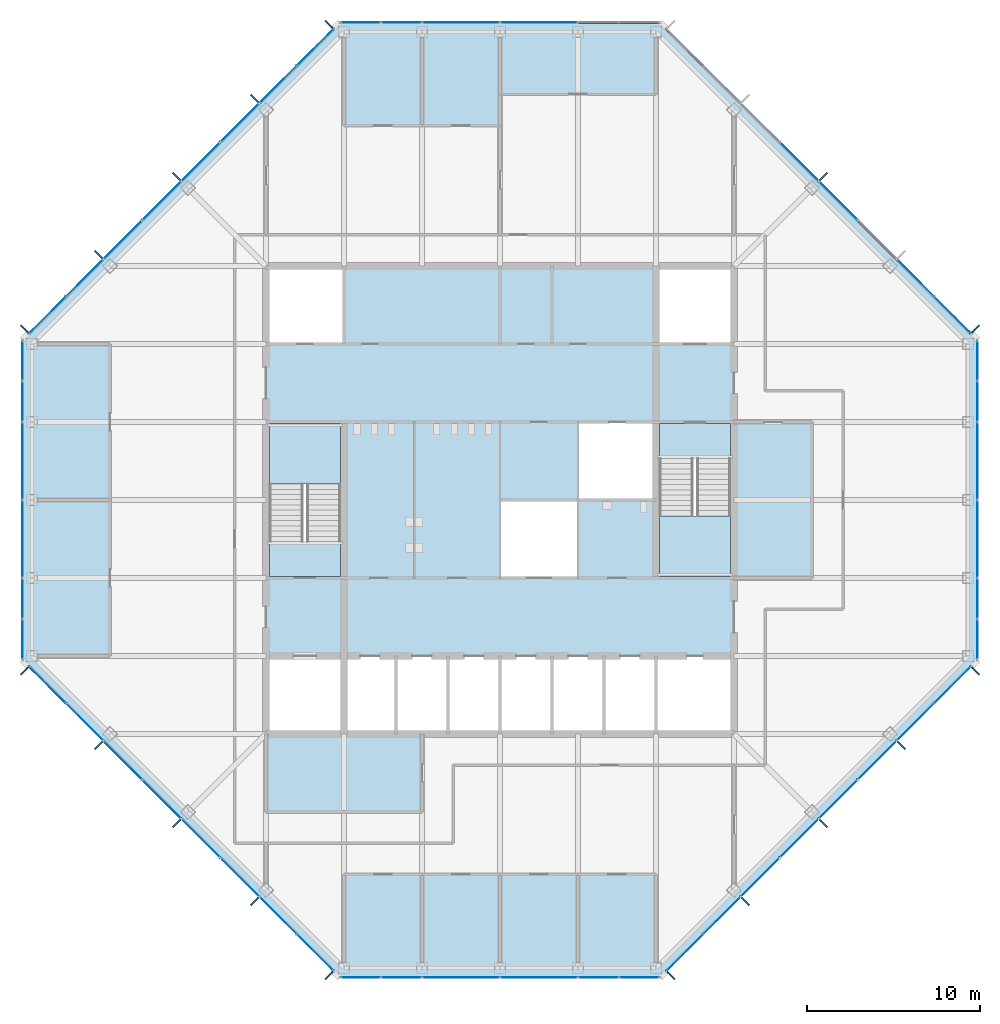
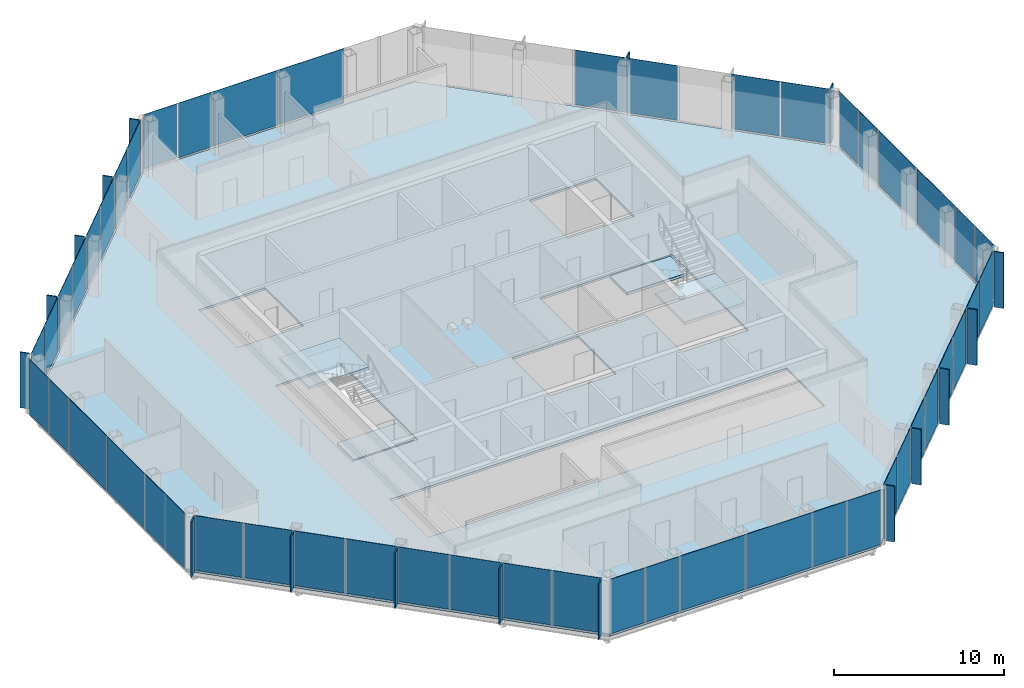
# One storey, part 8 of 13: 67 plates, 5 slabs, 10 elements without a shape of their own.
"""IFC4 building model written with IfcOpenShell, lengths in metres."""

from ifc_helpers import new_model, si_unit, direction, frame, origin, origin_2d, place, context, subcontext, project, spatial, polyline, rectangle, outline, extrude, material, layer, layer_set, type_object, element, aggregate, save


model = new_model("IFC4")

# Units and contexts
model_context = context("Model", 3, precision=1e-05, world=origin(), true_north=direction((0.0, 1.0)))
body_context = subcontext(model_context, "Body", "Model", "MODEL_VIEW")
ifc_project = project(units=[si_unit("LENGTHUNIT", "METRE"), si_unit("AREAUNIT", "SQUARE_METRE"), si_unit("VOLUMEUNIT", "CUBIC_METRE"), si_unit("PLANEANGLEUNIT", "RADIAN"), si_unit("MASSUNIT", "GRAM", prefix="KILO")], contexts=[model_context])

# Site, building, storey
site_placement = place(None, origin())
site = spatial("IfcSite", under=ifc_project, at=site_placement, CompositionType="ELEMENT")
building_placement = place(site_placement, origin())
building = spatial("IfcBuilding", under=site, at=building_placement, Name="Corais Broadcast Tower", CompositionType="ELEMENT")
storey_placement = place(building_placement, frame((0.0, 0.0, 222.60009765625)))
storey = spatial("IfcBuildingStorey", under=building, at=storey_placement, Name="L51", CompositionType="ELEMENT", Elevation=222.60009765625)

# Slab
ifc_material_1 = material(Name="Concrete C30/37", Category="concrete")
ifc_layer_1 = layer(ifc_material_1, 0.159912109375)
ifc_layer_set_1 = layer_set([ifc_layer_1], Name="Concrete C30/37")
slab_type_1 = type_object("IfcSlabType", Name="Composite floor slab 160", PredefinedType="FLOOR", material=ifc_layer_set_1)
slab_1_placement = place(storey_placement, frame((0.0, 0.0, -0.16015625)))
element("IfcSlab", 1, at=slab_1_placement, inside=storey, type_object=slab_type_1, Name="S160 floor slab L51", PredefinedType="FLOOR", context=body_context, shape_type="SweptSolid", body=[
    extrude(outline(polyline([(17.80126953125, -0.47998046875), (-0.47998046875, 17.80126953125), (-0.47998046875, 36.19873046875), (17.80126953125, 54.47998046875), (36.19873046875, 54.47998046875), (54.47998046875, 36.19873046875), (54.47998046875, 17.80126953125), (36.19873046875, -0.47998046875), (17.80126953125, -0.47998046875)]), holes=[polyline([(13.5, 18.0), (40.5, 18.0), (40.5, 13.5), (13.5, 13.5), (13.5, 18.0)]), polyline([(18.0, 22.5), (13.5, 22.5), (13.5, 31.5), (18.0, 31.5), (18.0, 22.5)]), polyline([(18.0, 36.0), (13.5, 36.0), (13.5, 40.5), (18.0, 40.5), (18.0, 36.0)]), polyline([(31.5, 22.5), (27.0, 22.5), (27.0, 27.0), (31.4951171875, 27.0), (31.4951171875, 27.0048828125), (31.5, 27.0048828125), (31.5, 31.5), (40.5, 31.5), (40.5, 22.5), (36.0, 22.5), (36.0, 27.0), (31.5048828125, 27.0), (31.5048828125, 26.9951171875), (31.5, 26.9951171875), (31.5, 22.5)]), polyline([(40.5, 36.0), (36.0, 36.0), (36.0, 40.5), (40.5, 40.5), (40.5, 36.0)])]), origin(), (0.0, 0.0, 1.0), 0.16015625),
])

# Curtain wall, plates
ifc_material_2 = material(Name="Aluminium and glass", Category="aluminium")
curtain_wall_type = type_object("IfcCurtainWallType", Name="Unitised fritted curtain wall CW3", PredefinedType="NOTDEFINED", material=ifc_material_2)
curtain_wall_1_placement = place(storey_placement, origin())
curtain_wall_1 = element("IfcCurtainWall", 2, at=curtain_wall_1_placement, inside=storey, type_object=curtain_wall_type, Name="CW3 curtain wall L51 1", PredefinedType="NOTDEFINED")
ifc_material_3 = material(Name="Ceramic-fritted laminated glass", Category="glass")
ifc_layer_2 = layer(ifc_material_3, 0.02587890625)
ifc_layer_set_2 = layer_set([ifc_layer_2], Name="Ceramic-fritted laminated glass")
plate_type_1 = type_object("IfcPlateType", Name="Fritted glass panel CW3", PredefinedType="CURTAIN_PANEL", material=ifc_layer_set_2)
plate_1_placement = place(storey_placement, frame((16.330322265625, 0.891845703125, 0.06494140625), z_axis=(0.0, 0.0, 1.0), x_axis=(-0.707106781187, 0.707106781187, 0.0)))
plate_1 = element("IfcPlate", 3, at=plate_1_placement, type_object=plate_type_1, Name="CW3 panel 1", PredefinedType="CURTAIN_PANEL", context=body_context, shape_type="SweptSolid", body=[
    extrude(rectangle(XDim=2.9482421875, YDim=0.02587890625, at=origin_2d()), origin(), (0.0, 0.0, 1.0), 3.93505859375),
])
plate_2_placement = place(storey_placement, frame((11.986083984375, 5.236083984375, 0.06494140625), z_axis=(0.0, 0.0, 1.0), x_axis=(-0.707106781187, 0.707106781187, 0.0)))
plate_2 = element("IfcPlate", 4, at=plate_2_placement, type_object=plate_type_1, Name="CW3 panel 3", PredefinedType="CURTAIN_PANEL", context=body_context, shape_type="SweptSolid", body=[
    extrude(rectangle(XDim=3.116943359375, YDim=0.02587890625, at=origin_2d()), origin(), (0.0, 0.0, 1.0), 3.93505859375),
])
plate_3_placement = place(storey_placement, frame((7.486083984375, 9.736083984375, 0.06494140625), z_axis=(0.0, 0.0, 1.0), x_axis=(-0.707106781187, 0.707106781187, 0.0)))
plate_3 = element("IfcPlate", 5, at=plate_3_placement, type_object=plate_type_1, Name="CW3 panel 5", PredefinedType="CURTAIN_PANEL", context=body_context, shape_type="SweptSolid", body=[
    extrude(rectangle(XDim=3.116943359375, YDim=0.02587890625, at=origin_2d()), origin(), (0.0, 0.0, 1.0), 3.93505859375),
])
plate_4_placement = place(storey_placement, frame((3.0341796875, 14.18798828125, 0.06494140625), z_axis=(0.0, 0.0, 1.0), x_axis=(-0.707106781187, 0.707106781187, 0.0)))
plate_4 = element("IfcPlate", 6, at=plate_4_placement, type_object=plate_type_1, Name="CW3 panel 7", PredefinedType="CURTAIN_PANEL", context=body_context, shape_type="SweptSolid", body=[
    extrude(rectangle(XDim=2.98095703125, YDim=0.02587890625, at=origin_2d()), origin(), (0.0, 0.0, 1.0), 3.93505859375),
])

curtain_wall_2_placement = place(storey_placement, origin())
curtain_wall_2 = element("IfcCurtainWall", 7, at=curtain_wall_2_placement, inside=storey, type_object=curtain_wall_type, Name="CW3 curtain wall L51 2", PredefinedType="NOTDEFINED")
plate_5_placement = place(storey_placement, frame((-0.550048828125, 18.970458984375, 0.06494140625), z_axis=(0.0, 0.0, 1.0), x_axis=(0.0, 1.0, 0.0)))
plate_5 = element("IfcPlate", 8, at=plate_5_placement, type_object=plate_type_1, Name="CW3 panel 1", PredefinedType="CURTAIN_PANEL", context=body_context, shape_type="SweptSolid", body=[
    extrude(rectangle(XDim=2.266357421875, YDim=0.02587890625, at=origin_2d()), origin(), (0.0, 0.0, 1.0), 3.93505859375),
])
plate_6_placement = place(storey_placement, frame((-0.550048828125, 24.75, 0.06494140625), z_axis=(0.0, 0.0, 1.0), x_axis=(0.0, 1.0, 0.0)))
plate_6 = element("IfcPlate", 9, at=plate_6_placement, type_object=plate_type_1, Name="CW3 panel 3", PredefinedType="CURTAIN_PANEL", context=body_context, shape_type="SweptSolid", body=[
    extrude(rectangle(XDim=4.43505859375, YDim=0.02587890625, at=origin_2d()), origin(), (0.0, 0.0, 1.0), 3.93505859375),
])
plate_7_placement = place(storey_placement, frame((-0.550048828125, 32.681884765625, 0.06494140625), z_axis=(0.0, 0.0, 1.0), x_axis=(0.0, 1.0, 0.0)))
plate_7 = element("IfcPlate", 10, at=plate_7_placement, type_object=plate_type_1, Name="CW3 panel 5", PredefinedType="CURTAIN_PANEL", context=body_context, shape_type="SweptSolid", body=[
    extrude(rectangle(XDim=2.298828125, YDim=0.02587890625, at=origin_2d()), origin(), (0.0, 0.0, 1.0), 3.93505859375),
])

curtain_wall_3_placement = place(storey_placement, origin())
curtain_wall_3 = element("IfcCurtainWall", 11, at=curtain_wall_3_placement, inside=storey, type_object=curtain_wall_type, Name="CW3 curtain wall L51 3", PredefinedType="NOTDEFINED")
plate_8_placement = place(storey_placement, frame((0.891845703125, 37.669677734375, 0.06494140625), z_axis=(0.0, 0.0, 1.0), x_axis=(0.707106781187, 0.707106781187, 0.0)))
plate_8 = element("IfcPlate", 12, at=plate_8_placement, type_object=plate_type_1, Name="CW3 panel 1", PredefinedType="CURTAIN_PANEL", context=body_context, shape_type="SweptSolid", body=[
    extrude(rectangle(XDim=2.9482421875, YDim=0.02587890625, at=origin_2d()), origin(), (0.0, 0.0, 1.0), 3.93505859375),
])
plate_9_placement = place(storey_placement, frame((5.236083984375, 42.013916015625, 0.06494140625), z_axis=(0.0, 0.0, 1.0), x_axis=(0.707106781187, 0.707106781187, 0.0)))
plate_9 = element("IfcPlate", 13, at=plate_9_placement, type_object=plate_type_1, Name="CW3 panel 3", PredefinedType="CURTAIN_PANEL", context=body_context, shape_type="SweptSolid", body=[
    extrude(rectangle(XDim=3.116943359375, YDim=0.02587890625, at=origin_2d()), origin(), (0.0, 0.0, 1.0), 3.93505859375),
])
plate_10_placement = place(storey_placement, frame((9.736083984375, 46.513916015625, 0.06494140625), z_axis=(0.0, 0.0, 1.0), x_axis=(0.707106781187, 0.707106781187, 0.0)))
plate_10 = element("IfcPlate", 14, at=plate_10_placement, type_object=plate_type_1, Name="CW3 panel 5", PredefinedType="CURTAIN_PANEL", context=body_context, shape_type="SweptSolid", body=[
    extrude(rectangle(XDim=3.116943359375, YDim=0.02587890625, at=origin_2d()), origin(), (0.0, 0.0, 1.0), 3.93505859375),
])
plate_11_placement = place(storey_placement, frame((14.18798828125, 50.9658203125, 0.06494140625), z_axis=(0.0, 0.0, 1.0), x_axis=(0.707106781187, 0.707106781187, 0.0)))
plate_11 = element("IfcPlate", 15, at=plate_11_placement, type_object=plate_type_1, Name="CW3 panel 7", PredefinedType="CURTAIN_PANEL", context=body_context, shape_type="SweptSolid", body=[
    extrude(rectangle(XDim=2.98095703125, YDim=0.02587890625, at=origin_2d()), origin(), (0.0, 0.0, 1.0), 3.93505859375),
])

curtain_wall_4_placement = place(storey_placement, origin())
curtain_wall_4 = element("IfcCurtainWall", 16, at=curtain_wall_4_placement, inside=storey, type_object=curtain_wall_type, Name="CW3 curtain wall L51 4", PredefinedType="NOTDEFINED")
plate_12_placement = place(storey_placement, frame((18.970458984375, 54.550048828125, 0.06494140625), z_axis=(0.0, 0.0, 1.0), x_axis=(1.0, 0.0, 0.0)))
plate_12 = element("IfcPlate", 17, at=plate_12_placement, type_object=plate_type_1, Name="CW3 panel 1", PredefinedType="CURTAIN_PANEL", context=body_context, shape_type="SweptSolid", body=[
    extrude(rectangle(XDim=2.266357421875, YDim=0.02587890625, at=origin_2d()), origin(), (0.0, 0.0, 1.0), 3.93505859375),
])
plate_13_placement = place(storey_placement, frame((24.75, 54.550048828125, 0.06494140625), z_axis=(0.0, 0.0, 1.0), x_axis=(1.0, 0.0, 0.0)))
plate_13 = element("IfcPlate", 18, at=plate_13_placement, type_object=plate_type_1, Name="CW3 panel 3", PredefinedType="CURTAIN_PANEL", context=body_context, shape_type="SweptSolid", body=[
    extrude(rectangle(XDim=4.43505859375, YDim=0.02587890625, at=origin_2d()), origin(), (0.0, 0.0, 1.0), 3.93505859375),
])

curtain_wall_5_placement = place(storey_placement, origin())
curtain_wall_5 = element("IfcCurtainWall", 19, at=curtain_wall_5_placement, inside=storey, type_object=curtain_wall_type, Name="CW3 curtain wall L51 5", PredefinedType="NOTDEFINED")
plate_14_placement = place(storey_placement, frame((46.513916015625, 44.263916015625, 0.06494140625), z_axis=(0.0, 0.0, 1.0), x_axis=(0.707106781187, -0.707106781187, 0.0)))
plate_14 = element("IfcPlate", 20, at=plate_14_placement, type_object=plate_type_1, Name="CW3 panel 5", PredefinedType="CURTAIN_PANEL", context=body_context, shape_type="SweptSolid", body=[
    extrude(rectangle(XDim=3.116943359375, YDim=0.02587890625, at=origin_2d()), origin(), (0.0, 0.0, 1.0), 3.93505859375),
])
plate_15_placement = place(storey_placement, frame((50.9658203125, 39.81201171875, 0.06494140625), z_axis=(0.0, 0.0, 1.0), x_axis=(0.707106781187, -0.707106781187, 0.0)))
plate_15 = element("IfcPlate", 21, at=plate_15_placement, type_object=plate_type_1, Name="CW3 panel 7", PredefinedType="CURTAIN_PANEL", context=body_context, shape_type="SweptSolid", body=[
    extrude(rectangle(XDim=2.98095703125, YDim=0.02587890625, at=origin_2d()), origin(), (0.0, 0.0, 1.0), 3.93505859375),
])

curtain_wall_6_placement = place(storey_placement, origin())
curtain_wall_6 = element("IfcCurtainWall", 22, at=curtain_wall_6_placement, inside=storey, type_object=curtain_wall_type, Name="CW3 curtain wall L51 6", PredefinedType="NOTDEFINED")
plate_16_placement = place(storey_placement, frame((54.550048828125, 35.029541015625, 0.06494140625), z_axis=(0.0, 0.0, 1.0), x_axis=(0.0, -1.0, 0.0)))
plate_16 = element("IfcPlate", 23, at=plate_16_placement, type_object=plate_type_1, Name="CW3 panel 1", PredefinedType="CURTAIN_PANEL", context=body_context, shape_type="SweptSolid", body=[
    extrude(rectangle(XDim=2.266357421875, YDim=0.02587890625, at=origin_2d()), origin(), (0.0, 0.0, 1.0), 3.93505859375),
])
plate_17_placement = place(storey_placement, frame((54.550048828125, 29.25, 0.06494140625), z_axis=(0.0, 0.0, 1.0), x_axis=(0.0, -1.0, 0.0)))
plate_17 = element("IfcPlate", 24, at=plate_17_placement, type_object=plate_type_1, Name="CW3 panel 3", PredefinedType="CURTAIN_PANEL", context=body_context, shape_type="SweptSolid", body=[
    extrude(rectangle(XDim=4.43505859375, YDim=0.02587890625, at=origin_2d()), origin(), (0.0, 0.0, 1.0), 3.93505859375),
])
plate_18_placement = place(storey_placement, frame((54.550048828125, 21.318115234375, 0.06494140625), z_axis=(0.0, 0.0, 1.0), x_axis=(0.0, -1.0, 0.0)))
plate_18 = element("IfcPlate", 25, at=plate_18_placement, type_object=plate_type_1, Name="CW3 panel 5", PredefinedType="CURTAIN_PANEL", context=body_context, shape_type="SweptSolid", body=[
    extrude(rectangle(XDim=2.298828125, YDim=0.02587890625, at=origin_2d()), origin(), (0.0, 0.0, 1.0), 3.93505859375),
])

curtain_wall_7_placement = place(storey_placement, origin())
curtain_wall_7 = element("IfcCurtainWall", 26, at=curtain_wall_7_placement, inside=storey, type_object=curtain_wall_type, Name="CW3 curtain wall L51 7", PredefinedType="NOTDEFINED")
plate_19_placement = place(storey_placement, frame((53.108154296875, 16.330322265625, 0.06494140625), z_axis=(0.0, 0.0, 1.0), x_axis=(-0.707106781187, -0.707106781187, 0.0)))
plate_19 = element("IfcPlate", 27, at=plate_19_placement, type_object=plate_type_1, Name="CW3 panel 1", PredefinedType="CURTAIN_PANEL", context=body_context, shape_type="SweptSolid", body=[
    extrude(rectangle(XDim=2.9482421875, YDim=0.02587890625, at=origin_2d()), origin(), (0.0, 0.0, 1.0), 3.93505859375),
])
plate_20_placement = place(storey_placement, frame((48.763916015625, 11.986083984375, 0.06494140625), z_axis=(0.0, 0.0, 1.0), x_axis=(-0.707106781187, -0.707106781187, 0.0)))
plate_20 = element("IfcPlate", 28, at=plate_20_placement, type_object=plate_type_1, Name="CW3 panel 3", PredefinedType="CURTAIN_PANEL", context=body_context, shape_type="SweptSolid", body=[
    extrude(rectangle(XDim=3.116943359375, YDim=0.02587890625, at=origin_2d()), origin(), (0.0, 0.0, 1.0), 3.93505859375),
])
plate_21_placement = place(storey_placement, frame((44.263916015625, 7.486083984375, 0.06494140625), z_axis=(0.0, 0.0, 1.0), x_axis=(-0.707106781187, -0.707106781187, 0.0)))
plate_21 = element("IfcPlate", 29, at=plate_21_placement, type_object=plate_type_1, Name="CW3 panel 5", PredefinedType="CURTAIN_PANEL", context=body_context, shape_type="SweptSolid", body=[
    extrude(rectangle(XDim=3.116943359375, YDim=0.02587890625, at=origin_2d()), origin(), (0.0, 0.0, 1.0), 3.93505859375),
])
plate_22_placement = place(storey_placement, frame((39.81201171875, 3.0341796875, 0.06494140625), z_axis=(0.0, 0.0, 1.0), x_axis=(-0.707106781187, -0.707106781187, 0.0)))
plate_22 = element("IfcPlate", 30, at=plate_22_placement, type_object=plate_type_1, Name="CW3 panel 7", PredefinedType="CURTAIN_PANEL", context=body_context, shape_type="SweptSolid", body=[
    extrude(rectangle(XDim=2.98095703125, YDim=0.02587890625, at=origin_2d()), origin(), (0.0, 0.0, 1.0), 3.93505859375),
])

curtain_wall_8_placement = place(storey_placement, origin())
curtain_wall_8 = element("IfcCurtainWall", 31, at=curtain_wall_8_placement, inside=storey, type_object=curtain_wall_type, Name="CW3 curtain wall L51 8", PredefinedType="NOTDEFINED")
plate_23_placement = place(storey_placement, frame((35.029541015625, -0.550048828125, 0.06494140625), z_axis=(0.0, 0.0, 1.0), x_axis=(-1.0, 0.0, 0.0)))
plate_23 = element("IfcPlate", 32, at=plate_23_placement, type_object=plate_type_1, Name="CW3 panel 1", PredefinedType="CURTAIN_PANEL", context=body_context, shape_type="SweptSolid", body=[
    extrude(rectangle(XDim=2.266357421875, YDim=0.02587890625, at=origin_2d()), origin(), (0.0, 0.0, 1.0), 3.93505859375),
])
plate_24_placement = place(storey_placement, frame((29.25, -0.550048828125, 0.06494140625), z_axis=(0.0, 0.0, 1.0), x_axis=(-1.0, 0.0, 0.0)))
plate_24 = element("IfcPlate", 33, at=plate_24_placement, type_object=plate_type_1, Name="CW3 panel 3", PredefinedType="CURTAIN_PANEL", context=body_context, shape_type="SweptSolid", body=[
    extrude(rectangle(XDim=4.43505859375, YDim=0.02587890625, at=origin_2d()), origin(), (0.0, 0.0, 1.0), 3.93505859375),
])
plate_25_placement = place(storey_placement, frame((21.318115234375, -0.550048828125, 0.06494140625), z_axis=(0.0, 0.0, 1.0), x_axis=(-1.0, 0.0, 0.0)))
plate_25 = element("IfcPlate", 34, at=plate_25_placement, type_object=plate_type_1, Name="CW3 panel 5", PredefinedType="CURTAIN_PANEL", context=body_context, shape_type="SweptSolid", body=[
    extrude(rectangle(XDim=2.298828125, YDim=0.02587890625, at=origin_2d()), origin(), (0.0, 0.0, 1.0), 3.93505859375),
])

# Plate
ifc_material_4 = material(Name="Clear laminated glass", Category="glass")
ifc_layer_3 = layer(ifc_material_4, 0.030029296875)
ifc_layer_set_3 = layer_set([ifc_layer_3], Name="Clear laminated glass")
plate_type_2 = type_object("IfcPlateType", Name="Operable glass panel CW3", PredefinedType="CURTAIN_PANEL", material=ifc_layer_set_3)
plate_26_placement = place(storey_placement, frame((14.18798828125, 3.0341796875, 0.06494140625), z_axis=(0.0, 0.0, 1.0), x_axis=(-0.707106781187, 0.707106781187, 0.0)))
plate_26 = element("IfcPlate", 35, at=plate_26_placement, type_object=plate_type_2, Name="CW3 operable panel 2", PredefinedType="CURTAIN_PANEL", context=body_context, shape_type="SweptSolid", body=[
    extrude(rectangle(XDim=2.98095703125, YDim=0.030029296875, at=origin_2d()), origin(), (0.0, 0.0, 1.0), 3.93505859375),
])

plate_27_placement = place(storey_placement, frame((9.736083984375, 7.486083984375, 0.06494140625), z_axis=(0.0, 0.0, 1.0), x_axis=(-0.707106781187, 0.707106781187, 0.0)))
plate_27 = element("IfcPlate", 36, at=plate_27_placement, type_object=plate_type_2, Name="CW3 operable panel 4", PredefinedType="CURTAIN_PANEL", context=body_context, shape_type="SweptSolid", body=[
    extrude(rectangle(XDim=3.116943359375, YDim=0.030029296875, at=origin_2d()), origin(), (0.0, 0.0, 1.0), 3.93505859375),
])

plate_28_placement = place(storey_placement, frame((5.236083984375, 11.986083984375, 0.06494140625), z_axis=(0.0, 0.0, 1.0), x_axis=(-0.707106781187, 0.707106781187, 0.0)))
plate_28 = element("IfcPlate", 37, at=plate_28_placement, type_object=plate_type_2, Name="CW3 operable panel 6", PredefinedType="CURTAIN_PANEL", context=body_context, shape_type="SweptSolid", body=[
    extrude(rectangle(XDim=3.116943359375, YDim=0.030029296875, at=origin_2d()), origin(), (0.0, 0.0, 1.0), 3.93505859375),
])

plate_29_placement = place(storey_placement, frame((0.89208984375, 16.330322265625, 0.06494140625), z_axis=(0.0, 0.0, 1.0), x_axis=(-0.707106781187, 0.707106781187, 0.0)))
plate_29 = element("IfcPlate", 38, at=plate_29_placement, type_object=plate_type_2, Name="CW3 operable panel 8", PredefinedType="CURTAIN_PANEL", context=body_context, shape_type="SweptSolid", body=[
    extrude(rectangle(XDim=2.948486328125, YDim=0.030029296875, at=origin_2d()), origin(), (0.0, 0.0, 1.0), 3.93505859375),
])

aggregate(curtain_wall_1, [plate_1, plate_26, plate_2, plate_27, plate_3, plate_28, plate_4, plate_29])

plate_30_placement = place(storey_placement, frame((-0.550048828125, 21.318115234375, 0.06494140625), z_axis=(0.0, 0.0, 1.0), x_axis=(0.0, 1.0, 0.0)))
plate_30 = element("IfcPlate", 39, at=plate_30_placement, type_object=plate_type_2, Name="CW3 operable panel 2", PredefinedType="CURTAIN_PANEL", context=body_context, shape_type="SweptSolid", body=[
    extrude(rectangle(XDim=2.298828125, YDim=0.030029296875, at=origin_2d()), origin(), (0.0, 0.0, 1.0), 3.93505859375),
])

plate_31_placement = place(storey_placement, frame((-0.550048828125, 29.25, 0.06494140625), z_axis=(0.0, 0.0, 1.0), x_axis=(0.0, 1.0, 0.0)))
plate_31 = element("IfcPlate", 40, at=plate_31_placement, type_object=plate_type_2, Name="CW3 operable panel 4", PredefinedType="CURTAIN_PANEL", context=body_context, shape_type="SweptSolid", body=[
    extrude(rectangle(XDim=4.43505859375, YDim=0.030029296875, at=origin_2d()), origin(), (0.0, 0.0, 1.0), 3.93505859375),
])

plate_32_placement = place(storey_placement, frame((-0.550048828125, 35.029541015625, 0.06494140625), z_axis=(0.0, 0.0, 1.0), x_axis=(0.0, 1.0, 0.0)))
plate_32 = element("IfcPlate", 41, at=plate_32_placement, type_object=plate_type_2, Name="CW3 operable panel 6", PredefinedType="CURTAIN_PANEL", context=body_context, shape_type="SweptSolid", body=[
    extrude(rectangle(XDim=2.266357421875, YDim=0.030029296875, at=origin_2d()), origin(), (0.0, 0.0, 1.0), 3.93505859375),
])

aggregate(curtain_wall_2, [plate_5, plate_30, plate_6, plate_31, plate_7, plate_32])

plate_33_placement = place(storey_placement, frame((3.0341796875, 39.81201171875, 0.06494140625), z_axis=(0.0, 0.0, 1.0), x_axis=(0.707106781187, 0.707106781187, 0.0)))
plate_33 = element("IfcPlate", 42, at=plate_33_placement, type_object=plate_type_2, Name="CW3 operable panel 2", PredefinedType="CURTAIN_PANEL", context=body_context, shape_type="SweptSolid", body=[
    extrude(rectangle(XDim=2.98095703125, YDim=0.030029296875, at=origin_2d()), origin(), (0.0, 0.0, 1.0), 3.93505859375),
])

plate_34_placement = place(storey_placement, frame((7.486083984375, 44.263916015625, 0.06494140625), z_axis=(0.0, 0.0, 1.0), x_axis=(0.707106781187, 0.707106781187, 0.0)))
plate_34 = element("IfcPlate", 43, at=plate_34_placement, type_object=plate_type_2, Name="CW3 operable panel 4", PredefinedType="CURTAIN_PANEL", context=body_context, shape_type="SweptSolid", body=[
    extrude(rectangle(XDim=3.116943359375, YDim=0.030029296875, at=origin_2d()), origin(), (0.0, 0.0, 1.0), 3.93505859375),
])

plate_35_placement = place(storey_placement, frame((11.986083984375, 48.763916015625, 0.06494140625), z_axis=(0.0, 0.0, 1.0), x_axis=(0.707106781187, 0.707106781187, 0.0)))
plate_35 = element("IfcPlate", 44, at=plate_35_placement, type_object=plate_type_2, Name="CW3 operable panel 6", PredefinedType="CURTAIN_PANEL", context=body_context, shape_type="SweptSolid", body=[
    extrude(rectangle(XDim=3.116943359375, YDim=0.030029296875, at=origin_2d()), origin(), (0.0, 0.0, 1.0), 3.93505859375),
])

plate_36_placement = place(storey_placement, frame((16.330322265625, 53.10791015625, 0.06494140625), z_axis=(0.0, 0.0, 1.0), x_axis=(0.707106781187, 0.707106781187, 0.0)))
plate_36 = element("IfcPlate", 45, at=plate_36_placement, type_object=plate_type_2, Name="CW3 operable panel 8", PredefinedType="CURTAIN_PANEL", context=body_context, shape_type="SweptSolid", body=[
    extrude(rectangle(XDim=2.948486328125, YDim=0.030029296875, at=origin_2d()), origin(), (0.0, 0.0, 1.0), 3.93505859375),
])

aggregate(curtain_wall_3, [plate_8, plate_33, plate_9, plate_34, plate_10, plate_35, plate_11, plate_36])

plate_37_placement = place(storey_placement, frame((21.318115234375, 54.550048828125, 0.06494140625), z_axis=(0.0, 0.0, 1.0), x_axis=(1.0, 0.0, 0.0)))
plate_37 = element("IfcPlate", 46, at=plate_37_placement, type_object=plate_type_2, Name="CW3 operable panel 2", PredefinedType="CURTAIN_PANEL", context=body_context, shape_type="SweptSolid", body=[
    extrude(rectangle(XDim=2.298828125, YDim=0.030029296875, at=origin_2d()), origin(), (0.0, 0.0, 1.0), 3.93505859375),
])

plate_38_placement = place(storey_placement, frame((29.25, 54.550048828125, 0.06494140625), z_axis=(0.0, 0.0, 1.0), x_axis=(1.0, 0.0, 0.0)))
plate_38 = element("IfcPlate", 47, at=plate_38_placement, type_object=plate_type_2, Name="CW3 operable panel 4", PredefinedType="CURTAIN_PANEL", context=body_context, shape_type="SweptSolid", body=[
    extrude(rectangle(XDim=4.43505859375, YDim=0.030029296875, at=origin_2d()), origin(), (0.0, 0.0, 1.0), 3.93505859375),
])

aggregate(curtain_wall_4, [plate_12, plate_37, plate_13, plate_38])

plate_39_placement = place(storey_placement, frame((44.263916015625, 46.513916015625, 0.06494140625), z_axis=(0.0, 0.0, 1.0), x_axis=(0.707106781187, -0.707106781187, 0.0)))
plate_39 = element("IfcPlate", 48, at=plate_39_placement, type_object=plate_type_2, Name="CW3 operable panel 4", PredefinedType="CURTAIN_PANEL", context=body_context, shape_type="SweptSolid", body=[
    extrude(rectangle(XDim=3.116943359375, YDim=0.030029296875, at=origin_2d()), origin(), (0.0, 0.0, 1.0), 3.93505859375),
])

plate_40_placement = place(storey_placement, frame((53.10791015625, 37.669677734375, 0.06494140625), z_axis=(0.0, 0.0, 1.0), x_axis=(0.707106781187, -0.707106781187, 0.0)))
plate_40 = element("IfcPlate", 49, at=plate_40_placement, type_object=plate_type_2, Name="CW3 operable panel 8", PredefinedType="CURTAIN_PANEL", context=body_context, shape_type="SweptSolid", body=[
    extrude(rectangle(XDim=2.948486328125, YDim=0.030029296875, at=origin_2d()), origin(), (0.0, 0.0, 1.0), 3.93505859375),
])

aggregate(curtain_wall_5, [plate_39, plate_14, plate_15, plate_40])

plate_41_placement = place(storey_placement, frame((54.550048828125, 32.681884765625, 0.06494140625), z_axis=(0.0, 0.0, 1.0), x_axis=(0.0, -1.0, 0.0)))
plate_41 = element("IfcPlate", 50, at=plate_41_placement, type_object=plate_type_2, Name="CW3 operable panel 2", PredefinedType="CURTAIN_PANEL", context=body_context, shape_type="SweptSolid", body=[
    extrude(rectangle(XDim=2.298828125, YDim=0.030029296875, at=origin_2d()), origin(), (0.0, 0.0, 1.0), 3.93505859375),
])

plate_42_placement = place(storey_placement, frame((54.550048828125, 24.75, 0.06494140625), z_axis=(0.0, 0.0, 1.0), x_axis=(0.0, -1.0, 0.0)))
plate_42 = element("IfcPlate", 51, at=plate_42_placement, type_object=plate_type_2, Name="CW3 operable panel 4", PredefinedType="CURTAIN_PANEL", context=body_context, shape_type="SweptSolid", body=[
    extrude(rectangle(XDim=4.43505859375, YDim=0.030029296875, at=origin_2d()), origin(), (0.0, 0.0, 1.0), 3.93505859375),
])

plate_43_placement = place(storey_placement, frame((54.550048828125, 18.970458984375, 0.06494140625), z_axis=(0.0, 0.0, 1.0), x_axis=(0.0, -1.0, 0.0)))
plate_43 = element("IfcPlate", 52, at=plate_43_placement, type_object=plate_type_2, Name="CW3 operable panel 6", PredefinedType="CURTAIN_PANEL", context=body_context, shape_type="SweptSolid", body=[
    extrude(rectangle(XDim=2.266357421875, YDim=0.030029296875, at=origin_2d()), origin(), (0.0, 0.0, 1.0), 3.93505859375),
])

aggregate(curtain_wall_6, [plate_16, plate_41, plate_17, plate_42, plate_18, plate_43])

plate_44_placement = place(storey_placement, frame((50.9658203125, 14.18798828125, 0.06494140625), z_axis=(0.0, 0.0, 1.0), x_axis=(-0.707106781187, -0.707106781187, 0.0)))
plate_44 = element("IfcPlate", 53, at=plate_44_placement, type_object=plate_type_2, Name="CW3 operable panel 2", PredefinedType="CURTAIN_PANEL", context=body_context, shape_type="SweptSolid", body=[
    extrude(rectangle(XDim=2.98095703125, YDim=0.030029296875, at=origin_2d()), origin(), (0.0, 0.0, 1.0), 3.93505859375),
])

plate_45_placement = place(storey_placement, frame((46.513916015625, 9.736083984375, 0.06494140625), z_axis=(0.0, 0.0, 1.0), x_axis=(-0.707106781187, -0.707106781187, 0.0)))
plate_45 = element("IfcPlate", 54, at=plate_45_placement, type_object=plate_type_2, Name="CW3 operable panel 4", PredefinedType="CURTAIN_PANEL", context=body_context, shape_type="SweptSolid", body=[
    extrude(rectangle(XDim=3.116943359375, YDim=0.030029296875, at=origin_2d()), origin(), (0.0, 0.0, 1.0), 3.93505859375),
])

plate_46_placement = place(storey_placement, frame((42.013916015625, 5.236083984375, 0.06494140625), z_axis=(0.0, 0.0, 1.0), x_axis=(-0.707106781187, -0.707106781187, 0.0)))
plate_46 = element("IfcPlate", 55, at=plate_46_placement, type_object=plate_type_2, Name="CW3 operable panel 6", PredefinedType="CURTAIN_PANEL", context=body_context, shape_type="SweptSolid", body=[
    extrude(rectangle(XDim=3.116943359375, YDim=0.030029296875, at=origin_2d()), origin(), (0.0, 0.0, 1.0), 3.93505859375),
])

plate_47_placement = place(storey_placement, frame((37.669677734375, 0.89208984375, 0.06494140625), z_axis=(0.0, 0.0, 1.0), x_axis=(-0.707106781187, -0.707106781187, 0.0)))
plate_47 = element("IfcPlate", 56, at=plate_47_placement, type_object=plate_type_2, Name="CW3 operable panel 8", PredefinedType="CURTAIN_PANEL", context=body_context, shape_type="SweptSolid", body=[
    extrude(rectangle(XDim=2.948486328125, YDim=0.030029296875, at=origin_2d()), origin(), (0.0, 0.0, 1.0), 3.93505859375),
])

aggregate(curtain_wall_7, [plate_19, plate_44, plate_20, plate_45, plate_21, plate_46, plate_22, plate_47])

plate_48_placement = place(storey_placement, frame((32.681884765625, -0.550048828125, 0.06494140625), z_axis=(0.0, 0.0, 1.0), x_axis=(-1.0, 0.0, 0.0)))
plate_48 = element("IfcPlate", 57, at=plate_48_placement, type_object=plate_type_2, Name="CW3 operable panel 2", PredefinedType="CURTAIN_PANEL", context=body_context, shape_type="SweptSolid", body=[
    extrude(rectangle(XDim=2.298828125, YDim=0.030029296875, at=origin_2d()), origin(), (0.0, 0.0, 1.0), 3.93505859375),
])

plate_49_placement = place(storey_placement, frame((24.75, -0.550048828125, 0.06494140625), z_axis=(0.0, 0.0, 1.0), x_axis=(-1.0, 0.0, 0.0)))
plate_49 = element("IfcPlate", 58, at=plate_49_placement, type_object=plate_type_2, Name="CW3 operable panel 4", PredefinedType="CURTAIN_PANEL", context=body_context, shape_type="SweptSolid", body=[
    extrude(rectangle(XDim=4.43505859375, YDim=0.030029296875, at=origin_2d()), origin(), (0.0, 0.0, 1.0), 3.93505859375),
])

plate_50_placement = place(storey_placement, frame((18.970458984375, -0.550048828125, 0.06494140625), z_axis=(0.0, 0.0, 1.0), x_axis=(-1.0, 0.0, 0.0)))
plate_50 = element("IfcPlate", 59, at=plate_50_placement, type_object=plate_type_2, Name="CW3 operable panel 6", PredefinedType="CURTAIN_PANEL", context=body_context, shape_type="SweptSolid", body=[
    extrude(rectangle(XDim=2.266357421875, YDim=0.030029296875, at=origin_2d()), origin(), (0.0, 0.0, 1.0), 3.93505859375),
])

aggregate(curtain_wall_8, [plate_23, plate_48, plate_24, plate_49, plate_25, plate_50])

# Stair, slabs
ifc_material_5 = material(Name="Concrete C30/37", Category="concrete")
stair_type = type_object("IfcStairType", Name="Half-turn stair 4000", PredefinedType="HALF_TURN_STAIR", material=ifc_material_5)
stair_1_placement = place(storey_placement, origin())
stair_1 = element("IfcStair", 60, at=stair_1_placement, inside=storey, type_object=stair_type, Name="Stair A L51", PredefinedType="HALF_TURN_STAIR")
ifc_material_6 = material(Name="Concrete C30/37", Category="concrete")
ifc_layer_4 = layer(ifc_material_6, 0.199951171875)
ifc_layer_set_4 = layer_set([ifc_layer_4], Name="Concrete C30/37")
slab_type_2 = type_object("IfcSlabType", Name="Stair landing 200", PredefinedType="LANDING", material=ifc_layer_set_4)
slab_2_placement = place(storey_placement, frame((0.0, 0.0, -0.2001953125)))
slab_2 = element("IfcSlab", 61, at=slab_2_placement, type_object=slab_type_2, Name="STA landing 1", PredefinedType="LANDING", context=body_context, shape_type="SweptSolid", body=[
    extrude(outline(polyline([(13.699951171875, 22.60009765625), (17.800048828125, 22.60009765625), (17.800048828125, 24.60009765625), (13.699951171875, 24.60009765625), (13.699951171875, 22.60009765625)])), origin(), (0.0, 0.0, 1.0), 0.2001953125),
])
slab_3_placement = place(storey_placement, frame((0.0, 0.0, 1.7998046875)))
slab_3 = element("IfcSlab", 62, at=slab_3_placement, type_object=slab_type_2, Name="STA landing 2", PredefinedType="LANDING", context=body_context, shape_type="SweptSolid", body=[
    extrude(outline(polyline([(13.699951171875, 27.922119140625), (17.800048828125, 27.922119140625), (17.800048828125, 31.39990234375), (13.699951171875, 31.39990234375), (13.699951171875, 27.922119140625)])), origin(), (0.0, 0.0, 1.0), 0.2001953125),
])
aggregate(stair_1, [slab_2, slab_3])

stair_2_placement = place(storey_placement, origin())
stair_2 = element("IfcStair", 63, at=stair_2_placement, inside=storey, type_object=stair_type, Name="Stair B L51", PredefinedType="HALF_TURN_STAIR")
slab_4_placement = place(storey_placement, frame((0.0, 0.0, -0.2001953125)))
slab_4 = element("IfcSlab", 64, at=slab_4_placement, type_object=slab_type_2, Name="STB landing 1", PredefinedType="LANDING", context=body_context, shape_type="SweptSolid", body=[
    extrude(outline(polyline([(36.199951171875, 29.39990234375), (40.300048828125, 29.39990234375), (40.300048828125, 31.39990234375), (36.199951171875, 31.39990234375), (36.199951171875, 29.39990234375)])), origin(), (0.0, 0.0, 1.0), 0.2001953125),
])
slab_5_placement = place(storey_placement, frame((0.0, 0.0, 1.7998046875)))
slab_5 = element("IfcSlab", 65, at=slab_5_placement, type_object=slab_type_2, Name="STB landing 2", PredefinedType="LANDING", context=body_context, shape_type="SweptSolid", body=[
    extrude(outline(polyline([(36.199951171875, 22.60009765625), (40.300048828125, 22.60009765625), (40.300048828125, 26.077880859375), (36.199951171875, 26.077880859375), (36.199951171875, 22.60009765625)])), origin(), (0.0, 0.0, 1.0), 0.2001953125),
])
aggregate(stair_2, [slab_4, slab_5])

# Plates
ifc_material_7 = material(Name="Granite stone cladding", Category="masonry")
ifc_layer_5 = layer(ifc_material_7, 0.080078125)
ifc_layer_set_5 = layer_set([ifc_layer_5], Name="Granite stone cladding")
plate_type_3 = type_object("IfcPlateType", Name="Stone screen fin 80x600", PredefinedType="USERDEFINED", material=ifc_layer_set_5)
for number, where, z_axis, x_axis, name in (
    (66, (17.129150390625, -0.43994140625, 0.0), (0.0, 0.0, 1.0), (-0.707106781187, 0.707106781187, 0.0), "SF1 stone screen fin L51"),
    (67, (12.844482421875, 3.844482421875, 0.0), (0.0, 0.0, 1.0), (-0.707106781187, 0.707106781187, 0.0), "SF1 stone screen fin L51"),
    (68, (8.344482421875, 8.344482421875, 0.0), (0.0, 0.0, 1.0), (-0.707106781187, 0.707106781187, 0.0), "SF1 stone screen fin L51"),
    (69, (3.844482421875, 12.844482421875, 0.0), (0.0, 0.0, 1.0), (-0.707106781187, 0.707106781187, 0.0), "SF1 stone screen fin L51"),
    (70, (-0.43994140625, 17.129150390625, 0.0), (0.0, 0.0, 1.0), (-0.707106781187, 0.707106781187, 0.0), "SF1 stone screen fin L51"),
    (71, (-0.43994140625, 36.870849609375, 0.0), (0.0, 0.0, 1.0), (0.707106781187, 0.707106781187, 0.0), "SF1 stone screen fin L51"),
    (72, (3.844482421875, 41.155517578125, 0.0), (0.0, 0.0, 1.0), (0.707106781187, 0.707106781187, 0.0), "SF1 stone screen fin L51"),
    (73, (8.344482421875, 45.655517578125, 0.0), (0.0, 0.0, 1.0), (0.707106781187, 0.707106781187, 0.0), "SF1 stone screen fin L51"),
    (74, (12.844482421875, 50.155517578125, 0.0), (0.0, 0.0, 1.0), (0.707106781187, 0.707106781187, 0.0), "SF1 stone screen fin L51"),
    (75, (17.129150390625, 54.43994140625, 0.0), (0.0, 0.0, 1.0), (0.707106781187, 0.707106781187, 0.0), "SF1 stone screen fin L51"),
    (76, (45.655517578125, 45.655517578125, 0.0), (0.0, 0.0, 1.0), (0.707106781187, -0.707106781187, 0.0), "SF1 stone screen fin L51"),
    (77, (54.43994140625, 36.870849609375, 0.0), (0.0, 0.0, 1.0), (0.707106781187, -0.707106781187, 0.0), "SF1 stone screen fin L51"),
    (78, (54.43994140625, 17.129150390625, 0.0), (0.0, 0.0, 1.0), (-0.707106781187, -0.707106781187, 0.0), "SF1 stone screen fin L51"),
    (79, (50.155517578125, 12.844482421875, 0.0), (0.0, 0.0, 1.0), (-0.707106781187, -0.707106781187, 0.0), "SF1 stone screen fin L51"),
    (80, (45.655517578125, 8.344482421875, 0.0), (0.0, 0.0, 1.0), (-0.707106781187, -0.707106781187, 0.0), "SF1 stone screen fin L51"),
    (81, (41.155517578125, 3.844482421875, 0.0), (0.0, 0.0, 1.0), (-0.707106781187, -0.707106781187, 0.0), "SF1 stone screen fin L51"),
    (82, (36.870849609375, -0.43994140625, 0.0), (0.0, 0.0, 1.0), (-0.707106781187, -0.707106781187, 0.0), "SF1 stone screen fin L51"),
):
    element("IfcPlate", number, at=place(storey_placement, frame(where, z_axis=z_axis, x_axis=x_axis)), inside=storey, type_object=plate_type_3, Name=name, ObjectType="STONE SCREEN FIN", PredefinedType="USERDEFINED", context=body_context, shape_type="SweptSolid", body=[
        extrude(rectangle(XDim=0.080078125, YDim=0.60009765625, at=origin_2d()), origin(), (0.0, 0.0, 1.0), 4.0),
    ])

save(model, "model.ifc")
